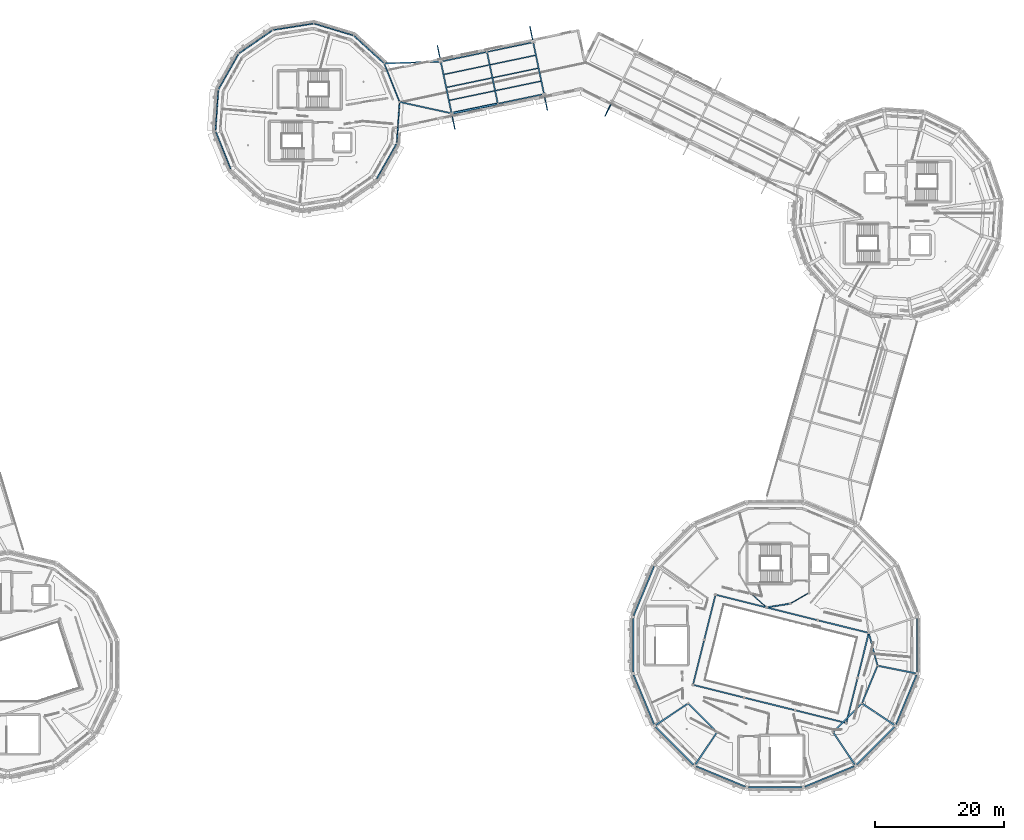
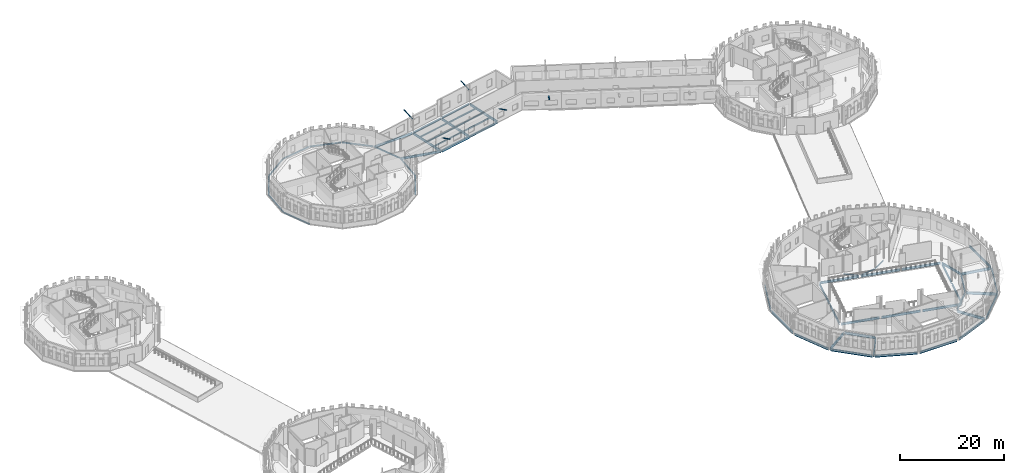
# One storey, part 21 of 68: 57 beams, 5 members.
"""IFC4 building model written with IfcOpenShell, lengths in metres."""

from ifc_helpers import new_model, si_unit, direction, frame, origin, origin_2d, place, context, subcontext, project, spatial, rectangle, hollow_rectangle, i_section, extrude, material, material_profile, profile_set, type_object, element, save


model = new_model("IFC4")

# Units and contexts
model_context = context("Model", 3, precision=1e-05, world=origin(), true_north=direction((0.0, 1.0)))
body_context = subcontext(model_context, "Body", "Model", "MODEL_VIEW")
ifc_project = project(units=[si_unit("LENGTHUNIT", "METRE"), si_unit("AREAUNIT", "SQUARE_METRE"), si_unit("VOLUMEUNIT", "CUBIC_METRE"), si_unit("PLANEANGLEUNIT", "RADIAN"), si_unit("MASSUNIT", "GRAM", prefix="KILO")], contexts=[model_context])

# Site, building, storey
site_placement = place(None, origin())
site = spatial("IfcSite", under=ifc_project, at=site_placement, CompositionType="ELEMENT")
building_placement = place(site_placement, origin())
building = spatial("IfcBuilding", under=site, at=building_placement, Name="Wrenclough Park School", CompositionType="ELEMENT")
storey_placement = place(building_placement, frame((0.0, 0.0, 12.60009765625)))
storey = spatial("IfcBuildingStorey", under=building, at=storey_placement, Name="L03", CompositionType="ELEMENT", Elevation=12.60009765625)

# Beams
ifc_material_1 = material(Name="Concrete C32/40", Category="concrete")
ifc_material_profile_1 = material_profile(ifc_material_1, rectangle(XDim=0.300048828125, YDim=0.5, at=origin_2d()), Name="RC BEAM 300x500")
ifc_profile_set_1 = profile_set([ifc_material_profile_1], Name="Concrete C32/40")
beam_type_1 = type_object("IfcBeamType", Name="STR-BM-RC300", PredefinedType="BEAM", material=ifc_profile_set_1)
beam_1_placement = place(storey_placement, frame((105.435546875, 109.007080078125, -0.489990234375), z_axis=(0.978790465499, 0.204863917388, 0.0), x_axis=(-0.204863917388, 0.978790465499, 0.0)))
element("IfcBeam", 1, at=beam_1_placement, inside=storey, type_object=beam_type_1, Name="W45 L03 longitudinal edge beam R1", PredefinedType="BEAM", context=body_context, shape_type="SweptSolid", body=[
    extrude(rectangle(XDim=0.300048828125, YDim=0.5, at=origin_2d()), origin(), (0.0, 0.0, 1.0), 7.12646484375),
])
ifc_material_2 = material(Name="Structural steel S355", Category="steel")
ifc_material_profile_2 = material_profile(ifc_material_2, hollow_rectangle(XDim=0.14990234375, YDim=0.25, WallThickness=0.010009765625, InnerFilletRadius=0.010009765625, OuterFilletRadius=0.014892578125, at=origin_2d()), Name="RHS 250x150x10.0")
ifc_profile_set_2 = profile_set([ifc_material_profile_2], Name="Structural steel S355")
beam_type_2 = type_object("IfcBeamType", Name="STR-BM-RHS250", PredefinedType="SPANDREL", material=ifc_profile_set_2)
beam_2_placement = place(storey_placement, frame((151.737060546875, 34.552001953125, -0.39013671875), z_axis=(0.746406187761, -0.665490648223, 0.0), x_axis=(0.665490648223, 0.746406187761, 0.0)))
element("IfcBeam", 2, at=beam_2_placement, inside=storey, type_object=beam_type_2, Name="D1-SH L03 cylindrical ring beam 7", PredefinedType="SPANDREL", context=body_context, shape_type="SweptSolid", body=[
    extrude(hollow_rectangle(XDim=0.14990234375, YDim=0.25, WallThickness=0.010009765625, InnerFilletRadius=0.010009765625, OuterFilletRadius=0.014892578125, at=origin_2d()), origin(), (0.0, 0.0, 1.0), 3.07763671875),
])
beam_3_placement = place(storey_placement, frame((154.372314453125, 32.405029296875, -0.39013671875), z_axis=(0.987205529963, 0.159452944814, 0.0), x_axis=(-0.159452944814, 0.987205529963, 0.0)))
element("IfcBeam", 3, at=beam_3_placement, inside=storey, type_object=beam_type_2, Name="D1-SH L03 cylindrical ring beam 8", PredefinedType="SPANDREL", context=body_context, shape_type="SweptSolid", body=[
    extrude(hollow_rectangle(XDim=0.14990234375, YDim=0.25, WallThickness=0.010009765625, InnerFilletRadius=0.010009765625, OuterFilletRadius=0.014892578125, at=origin_2d()), origin(), (0.0, 0.0, 1.0), 3.411376953125),
])
beam_4_placement = place(storey_placement, frame((157.98291015625, 33.035400390625, -0.39013671875), z_axis=(0.866012465712, 0.500022408728, 0.0), x_axis=(-0.500022408728, 0.866012465712, 0.0)))
element("IfcBeam", 4, at=beam_4_placement, inside=storey, type_object=beam_type_2, Name="D1-SH L03 cylindrical ring beam 9", PredefinedType="SPANDREL", context=body_context, shape_type="SweptSolid", body=[
    extrude(hollow_rectangle(XDim=0.14990234375, YDim=0.25, WallThickness=0.010009765625, InnerFilletRadius=0.010009765625, OuterFilletRadius=0.014892578125, at=origin_2d()), origin(), (0.0, 0.0, 1.0), 3.076416015625),
])
ifc_material_profile_3 = material_profile(ifc_material_2, hollow_rectangle(XDim=0.199951171875, YDim=0.300048828125, WallThickness=0.012451171875, InnerFilletRadius=0.012451171875, OuterFilletRadius=0.018798828125, at=origin_2d()), Name="RHS 300x200x12.5")
ifc_profile_set_3 = profile_set([ifc_material_profile_3], Name="Structural steel S355")
beam_type_3 = type_object("IfcBeamType", Name="STR-BM-RHS300", PredefinedType="SPANDREL", material=ifc_profile_set_3)
beam_5_placement = place(storey_placement, frame((97.236328125, 110.849609375, -0.39013671875), z_axis=(-0.372308088297, 0.928109200142, 0.0), x_axis=(-0.928109200142, -0.372308088297, 0.0)))
element("IfcBeam", 5, at=beam_5_placement, inside=storey, type_object=beam_type_3, Name="D4 L03 outer ring spandrel beam 1", PredefinedType="SPANDREL", context=body_context, shape_type="SweptSolid", body=[
    extrude(hollow_rectangle(XDim=0.199951171875, YDim=0.300048828125, WallThickness=0.012451171875, InnerFilletRadius=0.012451171875, OuterFilletRadius=0.018798828125, at=origin_2d()), origin(), (0.0, 0.0, 1.0), 6.23876953125),
])
beam_6_placement = place(storey_placement, frame((94.806884765625, 116.7939453125, -0.39013671875), z_axis=(-0.738113443635, 0.674676622038, 0.0), x_axis=(-0.674676622038, -0.738113443635, 0.0)))
element("IfcBeam", 6, at=beam_6_placement, inside=storey, type_object=beam_type_3, Name="D4 L03 outer ring spandrel beam 2", PredefinedType="SPANDREL", context=body_context, shape_type="SweptSolid", body=[
    extrude(hollow_rectangle(XDim=0.199951171875, YDim=0.300048828125, WallThickness=0.012451171875, InnerFilletRadius=0.012451171875, OuterFilletRadius=0.018798828125, at=origin_2d()), origin(), (0.0, 0.0, 1.0), 6.238525390625),
])
for number, where, z_axis, x_axis, name in (
    (7, (90.039306640625, 121.095458984375, -0.39013671875), (-0.957756249966, 0.287581233136, 0.0), (-0.287581233136, -0.957756249966, 0.0), "D4 L03 outer ring spandrel beam 3"),
    (8, (83.877197265625, 122.90234375, -0.39013671875), (-0.987686062731, -0.156448846228, 0.0), (0.156448846228, -0.987686062731, 0.0), "D4 L03 outer ring spandrel beam 4"),
    (9, (77.54150390625, 121.856689453125, -0.39013671875), (-0.822001965349, -0.569484652086, 0.0), (0.569484652086, -0.822001965349, 0.0), "D4 L03 outer ring spandrel beam 5"),
):
    element("IfcBeam", number, at=place(storey_placement, frame(where, z_axis=z_axis, x_axis=x_axis)), inside=storey, type_object=beam_type_3, Name=name, PredefinedType="SPANDREL", context=body_context, shape_type="SweptSolid", body=[
        extrude(hollow_rectangle(XDim=0.199951171875, YDim=0.300048828125, WallThickness=0.012451171875, InnerFilletRadius=0.012451171875, OuterFilletRadius=0.018798828125, at=origin_2d()), origin(), (0.0, 0.0, 1.0), 6.239013671875),
    ])
beam_7_placement = place(storey_placement, frame((72.286865234375, 118.16552734375, -0.39013671875), z_axis=(-0.493494324181, -0.869749016672, 0.0), x_axis=(0.869749016672, -0.493494324181, 0.0)))
element("IfcBeam", 10, at=beam_7_placement, inside=storey, type_object=beam_type_3, Name="D4 L03 outer ring spandrel beam 6", PredefinedType="SPANDREL", context=body_context, shape_type="SweptSolid", body=[
    extrude(hollow_rectangle(XDim=0.199951171875, YDim=0.300048828125, WallThickness=0.012451171875, InnerFilletRadius=0.012451171875, OuterFilletRadius=0.018798828125, at=origin_2d()), origin(), (0.0, 0.0, 1.0), 6.23876953125),
])
beam_8_placement = place(storey_placement, frame((69.154052734375, 112.56005859375, -0.39013671875), z_axis=(-0.067266991553, -0.997735010836, 0.0), x_axis=(0.997735010836, -0.067266991553, 0.0)))
element("IfcBeam", 11, at=beam_8_placement, inside=storey, type_object=beam_type_3, Name="D4 L03 outer ring spandrel beam 7", PredefinedType="SPANDREL", context=body_context, shape_type="SweptSolid", body=[
    extrude(hollow_rectangle(XDim=0.199951171875, YDim=0.300048828125, WallThickness=0.012451171875, InnerFilletRadius=0.012451171875, OuterFilletRadius=0.018798828125, at=origin_2d()), origin(), (0.0, 0.0, 1.0), 6.239013671875),
])
for number, where, z_axis, x_axis, name in (
    (12, (68.763671875, 106.150390625, -0.39013671875), (0.372308088297, -0.928109200142, 0.0), (0.928109200142, 0.372308088297, 0.0), "D4 L03 outer ring spandrel beam 8"),
    (13, (93.713134765625, 98.83447265625, -0.39013671875), (0.493494324181, 0.869749016672, 0.0), (-0.869749016672, 0.493494324181, 0.0), "D4 L03 outer ring spandrel beam 13"),
):
    element("IfcBeam", number, at=place(storey_placement, frame(where, z_axis=z_axis, x_axis=x_axis)), inside=storey, type_object=beam_type_3, Name=name, PredefinedType="SPANDREL", context=body_context, shape_type="SweptSolid", body=[
        extrude(hollow_rectangle(XDim=0.199951171875, YDim=0.300048828125, WallThickness=0.012451171875, InnerFilletRadius=0.012451171875, OuterFilletRadius=0.018798828125, at=origin_2d()), origin(), (0.0, 0.0, 1.0), 6.23876953125),
    ])
beam_9_placement = place(storey_placement, frame((96.845947265625, 104.43994140625, -0.39013671875), z_axis=(0.067266991553, 0.997735010836, 0.0), x_axis=(-0.997735010836, 0.067266991553, 0.0)))
element("IfcBeam", 14, at=beam_9_placement, inside=storey, type_object=beam_type_3, Name="D4 L03 outer ring spandrel beam 14", PredefinedType="SPANDREL", context=body_context, shape_type="SweptSolid", body=[
    extrude(hollow_rectangle(XDim=0.199951171875, YDim=0.300048828125, WallThickness=0.012451171875, InnerFilletRadius=0.012451171875, OuterFilletRadius=0.018798828125, at=origin_2d()), origin(), (0.0, 0.0, 1.0), 6.239013671875),
])
ifc_material_profile_4 = material_profile(ifc_material_2, i_section(OverallWidth=0.1650390625, OverallDepth=0.303466796875, WebThickness=0.006103515625, FlangeThickness=0.01025390625, FilletRadius=0.0087890625, at=origin_2d()), Name="UKB 305x165x40")
ifc_profile_set_4 = profile_set([ifc_material_profile_4], Name="Structural steel S355")
beam_type_4 = type_object("IfcBeamType", Name="STR-BM-UKB305", PredefinedType="JOIST", material=ifc_profile_set_4)
for number, where, z_axis, x_axis, name in (
    (15, (104.1826171875, 115.02783203125, -0.391845703125), (0.978785502832, 0.204887626386, 0.0), (-0.204887626386, 0.978785502832, 0.0), "W45 L03 secondary floor joist 0091"),
    (16, (105.0224609375, 111.014892578125, -0.391845703125), (0.978785502832, 0.204887626386, 0.0), (-0.204887626386, 0.978785502832, 0.0), "W45 L03 secondary floor joist 0093"),
):
    element("IfcBeam", number, at=place(storey_placement, frame(where, z_axis=z_axis, x_axis=x_axis)), inside=storey, type_object=beam_type_4, Name=name, PredefinedType="JOIST", context=body_context, shape_type="SweptSolid", body=[
        extrude(i_section(OverallWidth=0.1650390625, OverallDepth=0.303466796875, WebThickness=0.006103515625, FlangeThickness=0.01025390625, FilletRadius=0.0087890625, at=origin_2d()), origin(), (0.0, 0.0, 1.0), 7.112548828125),
    ])
beam_10_placement = place(storey_placement, frame((111.76904296875, 114.521484375, -0.391845703125), z_axis=(0.97879382637, 0.204847859299, 0.0), x_axis=(-0.204847859299, 0.97879382637, 0.0)))
element("IfcBeam", 17, at=beam_10_placement, inside=storey, type_object=beam_type_4, Name="W45 L03 secondary floor joist 0095", PredefinedType="JOIST", context=body_context, shape_type="SweptSolid", body=[
    extrude(i_section(OverallWidth=0.1650390625, OverallDepth=0.303466796875, WebThickness=0.006103515625, FlangeThickness=0.01025390625, FilletRadius=0.0087890625, at=origin_2d()), origin(), (0.0, 0.0, 1.0), 7.11279296875),
])
ifc_material_profile_5 = material_profile(ifc_material_2, i_section(OverallWidth=0.17138671875, OverallDepth=0.35498046875, WebThickness=0.00732421875, FlangeThickness=0.011474609375, FilletRadius=0.01025390625, at=origin_2d()), Name="UKB 356x171x51")
ifc_profile_set_5 = profile_set([ifc_material_profile_5], Name="Structural steel S355")
beam_type_5 = type_object("IfcBeamType", Name="STR-BM-UKB356", PredefinedType="JOIST", material=ifc_profile_set_5)
beam_11_placement = place(storey_placement, frame((104.602294921875, 113.021484375, -0.41748046875), z_axis=(0.97879382637, 0.204847859299, 0.0), x_axis=(-0.204847859299, 0.97879382637, 0.0)))
element("IfcBeam", 18, at=beam_11_placement, inside=storey, type_object=beam_type_5, Name="W45 L03 secondary floor joist 0092", PredefinedType="JOIST", context=body_context, shape_type="SweptSolid", body=[
    extrude(i_section(OverallWidth=0.17138671875, OverallDepth=0.35498046875, WebThickness=0.00732421875, FlangeThickness=0.011474609375, FilletRadius=0.01025390625, at=origin_2d()), origin(), (0.0, 0.0, 1.0), 7.11279296875),
])
for number, where, z_axis, x_axis, name in (
    (19, (111.34912109375, 116.52783203125, -0.41748046875), (0.978785502832, 0.204887626386, 0.0), (-0.204887626386, 0.978785502832, 0.0), "W45 L03 secondary floor joist 0094"),
    (20, (112.189208984375, 112.514892578125, -0.41748046875), (0.978785502832, 0.204887626386, 0.0), (-0.204887626386, 0.978785502832, 0.0), "W45 L03 secondary floor joist 0096"),
):
    element("IfcBeam", number, at=place(storey_placement, frame(where, z_axis=z_axis, x_axis=x_axis)), inside=storey, type_object=beam_type_5, Name=name, PredefinedType="JOIST", context=body_context, shape_type="SweptSolid", body=[
        extrude(i_section(OverallWidth=0.17138671875, OverallDepth=0.35498046875, WebThickness=0.00732421875, FlangeThickness=0.011474609375, FilletRadius=0.01025390625, at=origin_2d()), origin(), (0.0, 0.0, 1.0), 7.112548828125),
    ])
ifc_material_profile_6 = material_profile(ifc_material_2, i_section(OverallWidth=0.177978515625, OverallDepth=0.406494140625, WebThickness=0.0078125, FlangeThickness=0.0126953125, FilletRadius=0.01025390625, at=origin_2d()), Name="UKB 406x178x60")
ifc_profile_set_6 = profile_set([ifc_material_profile_6], Name="Structural steel S355")
beam_type_6 = type_object("IfcBeamType", Name="STR-BM-UKB406", PredefinedType="BEAM", material=ifc_profile_set_6)
beam_12_placement = place(storey_placement, frame((110.92236328125, 118.532958984375, -0.443359375), z_axis=(0.978790465499, 0.204863917388, 0.0), x_axis=(-0.204863917388, 0.978790465499, 0.0)))
element("IfcBeam", 21, at=beam_12_placement, inside=storey, type_object=beam_type_6, Name="W45 L03 longitudinal edge beam L2", PredefinedType="BEAM", context=body_context, shape_type="SweptSolid", body=[
    extrude(i_section(OverallWidth=0.177978515625, OverallDepth=0.406494140625, WebThickness=0.0078125, FlangeThickness=0.0126953125, FilletRadius=0.01025390625, at=origin_2d()), origin(), (0.0, 0.0, 1.0), 7.12646484375),
])
ifc_material_profile_7 = material_profile(ifc_material_2, i_section(OverallWidth=0.18994140625, OverallDepth=0.453369140625, WebThickness=0.008544921875, FlangeThickness=0.0126953125, FilletRadius=0.01025390625, at=origin_2d()), Name="UKB 457x191x67")
ifc_profile_set_7 = profile_set([ifc_material_profile_7], Name="Structural steel S355")
beam_type_7 = type_object("IfcBeamType", Name="STR-BM-UKB457A", PredefinedType="BEAM", material=ifc_profile_set_7)
beam_13_placement = place(storey_placement, frame((103.755859375, 117.032958984375, -0.466796875), z_axis=(0.978789027638, 0.204870787024, 0.0), x_axis=(-0.204870787024, 0.978789027638, 0.0)))
element("IfcBeam", 22, at=beam_13_placement, inside=storey, type_object=beam_type_7, Name="W45 L03 longitudinal edge beam L1", PredefinedType="BEAM", context=body_context, shape_type="SweptSolid", body=[
    extrude(i_section(OverallWidth=0.18994140625, OverallDepth=0.453369140625, WebThickness=0.008544921875, FlangeThickness=0.0126953125, FilletRadius=0.01025390625, at=origin_2d()), origin(), (0.0, 0.0, 1.0), 7.126220703125),
])
beam_14_placement = place(storey_placement, frame((112.602294921875, 110.507080078125, -0.466796875), z_axis=(0.978790465499, 0.204863917388, 0.0), x_axis=(-0.204863917388, 0.978790465499, 0.0)))
element("IfcBeam", 23, at=beam_14_placement, inside=storey, type_object=beam_type_7, Name="W45 L03 longitudinal edge beam R2", PredefinedType="BEAM", context=body_context, shape_type="SweptSolid", body=[
    extrude(i_section(OverallWidth=0.18994140625, OverallDepth=0.453369140625, WebThickness=0.008544921875, FlangeThickness=0.0126953125, FilletRadius=0.01025390625, at=origin_2d()), origin(), (0.0, 0.0, 1.0), 7.12646484375),
])
ifc_material_profile_8 = material_profile(ifc_material_2, i_section(OverallWidth=0.209228515625, OverallDepth=0.533203125, WebThickness=0.010009765625, FlangeThickness=0.015625, FilletRadius=0.0126953125, at=origin_2d()), Name="UKB 533x210x92")
ifc_profile_set_8 = profile_set([ifc_material_profile_8], Name="Structural steel S355")
beam_type_8 = type_object("IfcBeamType", Name="STR-BM-UKB533A", PredefinedType="BEAM", material=ifc_profile_set_8)
for number, where, z_axis, x_axis, name in (
    (24, (142.12060546875, 17.4091796875, -0.531494140625), (0.707106781187, -0.707106781187, 0.0), (0.707106781187, 0.707106781187, 0.0), "D1 L03 middle ring beam 10"),
    (25, (164.5908203125, 13.12060546875, -0.531494140625), (0.707106781187, 0.707106781187, 0.0), (-0.707106781187, 0.707106781187, 0.0), "D1 L03 middle ring beam 14"),
):
    element("IfcBeam", number, at=place(storey_placement, frame(where, z_axis=z_axis, x_axis=x_axis)), inside=storey, type_object=beam_type_8, Name=name, PredefinedType="BEAM", context=body_context, shape_type="SweptSolid", body=[
        extrude(i_section(OverallWidth=0.209228515625, OverallDepth=0.533203125, WebThickness=0.010009765625, FlangeThickness=0.015625, FilletRadius=0.0126953125, at=origin_2d()), origin(), (0.0, 0.0, 1.0), 6.06494140625),
    ])
beam_15_placement = place(storey_placement, frame((169.018798828125, 17.6181640625, -0.531494140625), z_axis=(0.382676516999, 0.92388239692, 0.0), x_axis=(-0.92388239692, 0.382676516999, 0.0)))
element("IfcBeam", 26, at=beam_15_placement, inside=storey, type_object=beam_type_8, Name="D1 L03 middle ring beam 15", PredefinedType="BEAM", context=body_context, shape_type="SweptSolid", body=[
    extrude(i_section(OverallWidth=0.209228515625, OverallDepth=0.533203125, WebThickness=0.010009765625, FlangeThickness=0.015625, FilletRadius=0.0126953125, at=origin_2d()), origin(), (0.0, 0.0, 1.0), 6.064697265625),
])
beam_16_placement = place(storey_placement, frame((171.355712890625, 23.463134765625, -0.531494140625), z_axis=(-0.258622426208, 0.965978488716, 0.0), x_axis=(-0.965978488716, -0.258622426208, 0.0)))
element("IfcBeam", 27, at=beam_16_placement, inside=storey, type_object=beam_type_8, Name="D1 L03 middle ring beam 16", PredefinedType="BEAM", context=body_context, shape_type="SweptSolid", body=[
    extrude(i_section(OverallWidth=0.209228515625, OverallDepth=0.533203125, WebThickness=0.010009765625, FlangeThickness=0.015625, FilletRadius=0.0126953125, at=origin_2d()), origin(), (0.0, 0.0, 1.0), 4.93896484375),
])
beam_17_placement = place(storey_placement, frame((142.819091796875, 20.566650390625, -0.531494140625), z_axis=(0.241953541542, 0.970287835508, 0.0), x_axis=(-0.970287835508, 0.241953541542, 0.0)))
element("IfcBeam", 28, at=beam_17_placement, inside=storey, type_object=beam_type_8, Name="D1 L03 hall frame girder 0.1", PredefinedType="BEAM", context=body_context, shape_type="SweptSolid", body=[
    extrude(i_section(OverallWidth=0.209228515625, OverallDepth=0.533203125, WebThickness=0.010009765625, FlangeThickness=0.015625, FilletRadius=0.0126953125, at=origin_2d()), origin(), (0.0, 0.0, 1.0), 6.81005859375),
])
beam_18_placement = place(storey_placement, frame((142.961181640625, 20.330078125, -0.531494140625), z_axis=(0.970302952119, -0.241892912482, 0.0), x_axis=(0.241892912482, 0.970302952119, 0.0)))
element("IfcBeam", 29, at=beam_18_placement, inside=storey, type_object=beam_type_8, Name="D1 L03 hall frame girder 0.3", PredefinedType="BEAM", context=body_context, shape_type="SweptSolid", body=[
    extrude(i_section(OverallWidth=0.209228515625, OverallDepth=0.533203125, WebThickness=0.010009765625, FlangeThickness=0.015625, FilletRadius=0.0126953125, at=origin_2d()), origin(), (0.0, 0.0, 1.0), 7.776611328125),
])
beam_19_placement = place(storey_placement, frame((144.56103515625, 27.552734375, -0.531494140625), z_axis=(0.241919789553, 0.97029625137, 0.0), x_axis=(-0.97029625137, 0.241919789553, 0.0)))
element("IfcBeam", 30, at=beam_19_placement, inside=storey, type_object=beam_type_8, Name="D1 L03 hall frame girder 1.2", PredefinedType="BEAM", context=body_context, shape_type="SweptSolid", body=[
    extrude(i_section(OverallWidth=0.209228515625, OverallDepth=0.533203125, WebThickness=0.010009765625, FlangeThickness=0.015625, FilletRadius=0.0126953125, at=origin_2d()), origin(), (0.0, 0.0, 1.0), 6.81005859375),
])
for number, where, z_axis, x_axis, name in (
    (31, (146.445068359375, 34.302490234375, -0.531494140625), (0.970293745726, -0.241929839014, 0.0), (0.241929839014, 0.970293745726, 0.0), "D1 L03 hall frame girder 2.4"),
    (32, (150.885498046875, 18.3544921875, -0.531494140625), (0.970293745726, -0.241929839014, 0.0), (0.241929839014, 0.970293745726, 0.0), "D1 L03 hall frame girder 3.5"),
    (33, (154.369140625, 32.326904296875, -0.531494140625), (0.970293745726, -0.241929839014, 0.0), (0.241929839014, 0.970293745726, 0.0), "D1 L03 hall frame girder 4.6"),
    (34, (158.8095703125, 16.37890625, -0.531494140625), (0.970293745726, -0.241929839014, 0.0), (0.241929839014, 0.970293745726, 0.0), "D1 L03 hall frame girder 5.7"),
    (35, (162.293212890625, 30.35107421875, -0.531494140625), (0.970293745726, -0.241929839014, 0.0), (0.241929839014, 0.970293745726, 0.0), "D1 L03 hall frame girder 6.9"),
):
    element("IfcBeam", number, at=place(storey_placement, frame(where, z_axis=z_axis, x_axis=x_axis)), inside=storey, type_object=beam_type_8, Name=name, PredefinedType="BEAM", context=body_context, shape_type="SweptSolid", body=[
        extrude(i_section(OverallWidth=0.209228515625, OverallDepth=0.533203125, WebThickness=0.010009765625, FlangeThickness=0.015625, FilletRadius=0.0126953125, at=origin_2d()), origin(), (0.0, 0.0, 1.0), 7.7763671875),
    ])
for number, where, z_axis, x_axis, name in (
    (36, (166.591552734375, 14.6396484375, -0.531494140625), (0.241919789553, 0.97029625137, 0.0), (-0.97029625137, 0.241919789553, 0.0), "D1 L03 hall frame girder 7.8"),
    (37, (168.333251953125, 21.625732421875, -0.531494140625), (0.241919789553, 0.97029625137, 0.0), (-0.97029625137, 0.241919789553, 0.0), "D1 L03 hall frame girder 8.9"),
):
    element("IfcBeam", number, at=place(storey_placement, frame(where, z_axis=z_axis, x_axis=x_axis)), inside=storey, type_object=beam_type_8, Name=name, PredefinedType="BEAM", context=body_context, shape_type="SweptSolid", body=[
        extrude(i_section(OverallWidth=0.209228515625, OverallDepth=0.533203125, WebThickness=0.010009765625, FlangeThickness=0.015625, FilletRadius=0.0126953125, at=origin_2d()), origin(), (0.0, 0.0, 1.0), 6.81005859375),
    ])
for number, where, z_axis, x_axis, name in (
    (38, (103.68017578125, 116.917236328125, -0.506591796875), (0.204848203613, -0.97879375431, 0.0), (0.97879375431, 0.204848203613, 0.0), "W45 L03 transverse floor beam 1"),
    (39, (110.8466796875, 118.417236328125, -0.506591796875), (0.20487742493, -0.978787638231, 0.0), (0.978787638231, 0.20487742493, 0.0), "W45 L03 transverse floor beam 2"),
    (40, (118.013427734375, 119.917236328125, -0.506591796875), (0.20487742493, -0.978787638231, 0.0), (0.978787638231, 0.20487742493, 0.0), "W45 L03 transverse floor beam 3"),
):
    element("IfcBeam", number, at=place(storey_placement, frame(where, z_axis=z_axis, x_axis=x_axis)), inside=storey, type_object=beam_type_8, Name=name, PredefinedType="BEAM", context=body_context, shape_type="SweptSolid", body=[
        extrude(i_section(OverallWidth=0.209228515625, OverallDepth=0.533203125, WebThickness=0.010009765625, FlangeThickness=0.015625, FilletRadius=0.0126953125, at=origin_2d()), origin(), (0.0, 0.0, 1.0), 8.004150390625),
    ])
beam_20_placement = place(storey_placement, frame((103.5625, 117.009765625, -0.506591796875), z_axis=(-0.999478104124, -0.032303550538, 0.0), x_axis=(0.032303550538, -0.999478104124, 0.0)))
element("IfcBeam", 41, at=beam_20_placement, inside=storey, type_object=beam_type_8, Name="W45 L03 drum junction tie beam 43", PredefinedType="BEAM", context=body_context, shape_type="SweptSolid", body=[
    extrude(i_section(OverallWidth=0.209228515625, OverallDepth=0.533203125, WebThickness=0.010009765625, FlangeThickness=0.015625, FilletRadius=0.0126953125, at=origin_2d()), origin(), (0.0, 0.0, 1.0), 8.593017578125),
])
beam_21_placement = place(storey_placement, frame((105.244384765625, 109.008056640625, -0.506591796875), z_axis=(-0.976678750163, 0.214705889484, 0.0), x_axis=(-0.214705889484, -0.976678750163, 0.0)))
element("IfcBeam", 42, at=beam_21_placement, inside=storey, type_object=beam_type_8, Name="W45 L03 drum junction tie beam 47", PredefinedType="BEAM", context=body_context, shape_type="SweptSolid", body=[
    extrude(i_section(OverallWidth=0.209228515625, OverallDepth=0.533203125, WebThickness=0.010009765625, FlangeThickness=0.015625, FilletRadius=0.0126953125, at=origin_2d()), origin(), (0.0, 0.0, 1.0), 8.066650390625),
])
ifc_material_profile_9 = material_profile(ifc_material_2, i_section(OverallWidth=0.210693359375, OverallDepth=0.53955078125, WebThickness=0.01171875, FlangeThickness=0.018798828125, FilletRadius=0.0126953125, at=origin_2d()), Name="UKB 533x210x109")
ifc_profile_set_9 = profile_set([ifc_material_profile_9], Name="Structural steel S355")
beam_type_9 = type_object("IfcBeamType", Name="STR-BM-UKB533B", PredefinedType="SPANDREL", material=ifc_profile_set_9)
beam_22_placement = place(storey_placement, frame((136.74169921875, 38.7509765625, -0.534912109375), z_axis=(-0.382679925467, -0.923880985108, 0.0), x_axis=(0.923880985108, -0.382679925467, 0.0)))
element("IfcBeam", 43, at=beam_22_placement, inside=storey, type_object=beam_type_9, Name="D1 L03 outer ring spandrel beam 7", PredefinedType="SPANDREL", context=body_context, shape_type="SweptSolid", body=[
    extrude(i_section(OverallWidth=0.210693359375, OverallDepth=0.53955078125, WebThickness=0.01171875, FlangeThickness=0.018798828125, FilletRadius=0.0126953125, at=origin_2d()), origin(), (0.0, 0.0, 1.0), 8.279541015625),
])
beam_23_placement = place(storey_placement, frame((133.4814453125, 30.639892578125, -0.534912109375), z_axis=(0.0, -1.0, 0.0), x_axis=(1.0, 0.0, 0.0)))
element("IfcBeam", 44, at=beam_23_placement, inside=storey, type_object=beam_type_9, Name="D1 L03 outer ring spandrel beam 8", PredefinedType="SPANDREL", context=body_context, shape_type="SweptSolid", body=[
    extrude(i_section(OverallWidth=0.210693359375, OverallDepth=0.53955078125, WebThickness=0.01171875, FlangeThickness=0.018798828125, FilletRadius=0.0126953125, at=origin_2d()), origin(), (0.0, 0.0, 1.0), 8.27978515625),
])
for number, where, z_axis, x_axis, name in (
    (45, (133.5732421875, 21.8984375, -0.534912109375), (0.382679925467, -0.923880985108, 0.0), (0.923880985108, 0.382679925467, 0.0), "D1 L03 outer ring spandrel beam 9"),
    (46, (137.003173828125, 13.857666015625, -0.534912109375), (0.707106781187, -0.707106781187, 0.0), (0.707106781187, 0.707106781187, 0.0), "D1 L03 outer ring spandrel beam 10"),
    (47, (143.2490234375, 7.74169921875, -0.534912109375), (0.923880985108, -0.382679925467, 0.0), (0.382679925467, 0.923880985108, 0.0), "D1 L03 outer ring spandrel beam 11"),
):
    element("IfcBeam", number, at=place(storey_placement, frame(where, z_axis=z_axis, x_axis=x_axis)), inside=storey, type_object=beam_type_9, Name=name, PredefinedType="SPANDREL", context=body_context, shape_type="SweptSolid", body=[
        extrude(i_section(OverallWidth=0.210693359375, OverallDepth=0.53955078125, WebThickness=0.01171875, FlangeThickness=0.018798828125, FilletRadius=0.0126953125, at=origin_2d()), origin(), (0.0, 0.0, 1.0), 8.279541015625),
    ])
beam_24_placement = place(storey_placement, frame((151.360107421875, 4.4814453125, -0.534912109375), z_axis=(1.0, 0.0, 0.0), x_axis=(0.0, 1.0, 0.0)))
element("IfcBeam", 48, at=beam_24_placement, inside=storey, type_object=beam_type_9, Name="D1 L03 outer ring spandrel beam 12", PredefinedType="SPANDREL", context=body_context, shape_type="SweptSolid", body=[
    extrude(i_section(OverallWidth=0.210693359375, OverallDepth=0.53955078125, WebThickness=0.01171875, FlangeThickness=0.018798828125, FilletRadius=0.0126953125, at=origin_2d()), origin(), (0.0, 0.0, 1.0), 8.27978515625),
])
for number, where, z_axis, x_axis, name in (
    (49, (160.1015625, 4.5732421875, -0.534912109375), (0.923880985108, 0.382679925467, 0.0), (-0.382679925467, 0.923880985108, 0.0), "D1 L03 outer ring spandrel beam 13"),
    (50, (168.142333984375, 8.003173828125, -0.534912109375), (0.707106781187, 0.707106781187, 0.0), (-0.707106781187, 0.707106781187, 0.0), "D1 L03 outer ring spandrel beam 14"),
    (51, (174.25830078125, 14.2490234375, -0.534912109375), (0.382679925467, 0.923880985108, 0.0), (-0.923880985108, 0.382679925467, 0.0), "D1 L03 outer ring spandrel beam 15"),
):
    element("IfcBeam", number, at=place(storey_placement, frame(where, z_axis=z_axis, x_axis=x_axis)), inside=storey, type_object=beam_type_9, Name=name, PredefinedType="SPANDREL", context=body_context, shape_type="SweptSolid", body=[
        extrude(i_section(OverallWidth=0.210693359375, OverallDepth=0.53955078125, WebThickness=0.01171875, FlangeThickness=0.018798828125, FilletRadius=0.0126953125, at=origin_2d()), origin(), (0.0, 0.0, 1.0), 8.279541015625),
    ])
beam_25_placement = place(storey_placement, frame((177.5185546875, 22.360107421875, -0.534912109375), z_axis=(0.0, 1.0, 0.0), x_axis=(-1.0, 0.0, 0.0)))
element("IfcBeam", 52, at=beam_25_placement, inside=storey, type_object=beam_type_9, Name="D1 L03 outer ring spandrel beam 16", PredefinedType="SPANDREL", context=body_context, shape_type="SweptSolid", body=[
    extrude(i_section(OverallWidth=0.210693359375, OverallDepth=0.53955078125, WebThickness=0.01171875, FlangeThickness=0.018798828125, FilletRadius=0.0126953125, at=origin_2d()), origin(), (0.0, 0.0, 1.0), 8.27978515625),
])
ifc_material_profile_10 = material_profile(ifc_material_2, i_section(OverallWidth=0.22900390625, OverallDepth=0.6123046875, WebThickness=0.011962890625, FlangeThickness=0.01953125, FilletRadius=0.0126953125, at=origin_2d()), Name="UKB 610x229x125")
ifc_profile_set_10 = profile_set([ifc_material_profile_10], Name="Structural steel S355")
beam_type_10 = type_object("IfcBeamType", Name="STR-BM-UKB610", PredefinedType="BEAM", material=ifc_profile_set_10)
for number, where, z_axis, x_axis, name in (
    (53, (137.033203125, 14.16064453125, -0.5712890625), (0.831449565589, 0.555600233875, 0.0), (-0.555600233875, 0.831449565589, 0.0), "D1 L03 radial girder 10"),
    (54, (143.16064453125, 8.033203125, -0.5712890625), (0.555600233875, 0.831449565589, 0.0), (-0.831449565589, 0.555600233875, 0.0), "D1 L03 radial girder 11"),
    (55, (167.83935546875, 8.033203125, -0.5712890625), (-0.555600233875, 0.831449565589, 0.0), (-0.831449565589, -0.555600233875, 0.0), "D1 L03 radial girder 14"),
    (56, (173.966796875, 14.16064453125, -0.5712890625), (-0.831449565589, 0.555600233875, 0.0), (-0.555600233875, -0.831449565589, 0.0), "D1 L03 radial girder 15"),
):
    element("IfcBeam", number, at=place(storey_placement, frame(where, z_axis=z_axis, x_axis=x_axis)), inside=storey, type_object=beam_type_10, Name=name, PredefinedType="BEAM", context=body_context, shape_type="SweptSolid", body=[
        extrude(i_section(OverallWidth=0.22900390625, OverallDepth=0.6123046875, WebThickness=0.011962890625, FlangeThickness=0.01953125, FilletRadius=0.0126953125, at=origin_2d()), origin(), (0.0, 0.0, 1.0), 5.882080078125),
    ])
beam_26_placement = place(storey_placement, frame((177.283203125, 22.1669921875, -0.5712890625), z_axis=(-0.980786077223, 0.195086316092, 0.0), x_axis=(-0.195086316092, -0.980786077223, 0.0)))
element("IfcBeam", 57, at=beam_26_placement, inside=storey, type_object=beam_type_10, Name="D1 L03 radial girder 16", PredefinedType="BEAM", context=body_context, shape_type="SweptSolid", body=[
    extrude(i_section(OverallWidth=0.22900390625, OverallDepth=0.6123046875, WebThickness=0.011962890625, FlangeThickness=0.01953125, FilletRadius=0.0126953125, at=origin_2d()), origin(), (0.0, 0.0, 1.0), 5.8818359375),
])

# Members
ifc_material_profile_11 = material_profile(ifc_material_2, hollow_rectangle(XDim=0.179931640625, YDim=0.179931640625, WallThickness=0.010009765625, InnerFilletRadius=0.010009765625, OuterFilletRadius=0.014892578125, at=origin_2d()), Name="SHS 180x180x10.0")
ifc_profile_set_11 = profile_set([ifc_material_profile_11], Name="Structural steel S355")
member_type = type_object("IfcMemberType", Name="STR-MEM-STRUT2", PredefinedType="STRUT", material=ifc_profile_set_11)
for number, where, z_axis, x_axis, name in (
    (58, (103.639892578125, 117.109619140625, 2.75), (-0.192328873273, 0.918821505909, 0.344639876949), (-0.978786909377, -0.204880906949, 0.0), "W45 overhanging eave knee-brace strut 11"),
    (59, (105.360107421875, 108.890380859375, 2.75), (0.192328873273, -0.918821505909, 0.344639876949), (0.978786909377, 0.204880906949, 0.0), "W45 overhanging eave knee-brace strut 12"),
    (60, (117.97314453125, 120.109619140625, 2.75), (-0.192328873273, 0.918821505909, 0.344639876949), (-0.978786909377, -0.204880906949, 0.0), "W45 overhanging eave knee-brace strut 13"),
    (61, (119.693603515625, 111.890380859375, 2.75), (0.192328873273, -0.918821505909, 0.344639876949), (0.978786909377, 0.204880906949, 0.0), "W45 overhanging eave knee-brace strut 14"),
):
    element("IfcMember", number, at=place(storey_placement, frame(where, z_axis=z_axis, x_axis=x_axis)), inside=storey, type_object=member_type, Name=name, PredefinedType="STRUT", context=body_context, shape_type="SweptSolid", body=[
        extrude(hollow_rectangle(XDim=0.179931640625, YDim=0.179931640625, WallThickness=0.010009765625, InnerFilletRadius=0.010009765625, OuterFilletRadius=0.014892578125, at=origin_2d()), origin(), (0.0, 0.0, 1.0), 2.611083984375),
    ])
member_placement = place(storey_placement, frame((130.200439453125, 110.73681640625, 2.75), z_axis=(-0.416413171952, -0.841334111898, 0.344611349756), x_axis=(0.896232426996, -0.443584757178, 0.0)))
element("IfcMember", 62, at=member_placement, inside=storey, type_object=member_type, Name="W45 overhanging eave knee-brace strut 16", PredefinedType="STRUT", context=body_context, shape_type="SweptSolid", body=[
    extrude(hollow_rectangle(XDim=0.179931640625, YDim=0.179931640625, WallThickness=0.010009765625, InnerFilletRadius=0.010009765625, OuterFilletRadius=0.014892578125, at=origin_2d()), origin(), (0.0, 0.0, 1.0), 2.611328125),
])

save(model, "model.ifc")
